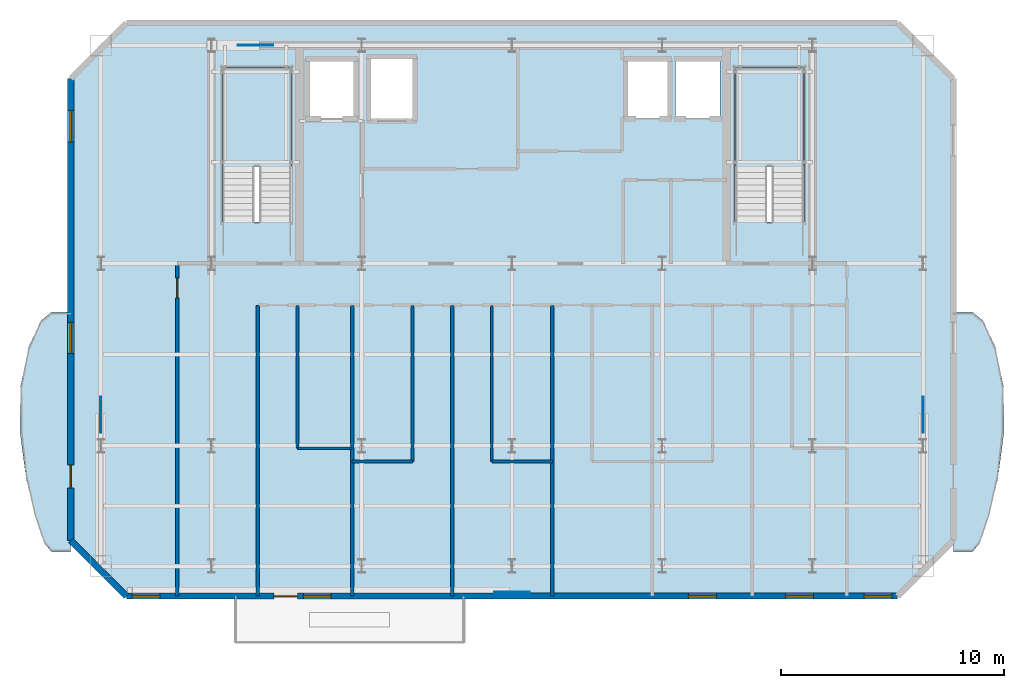
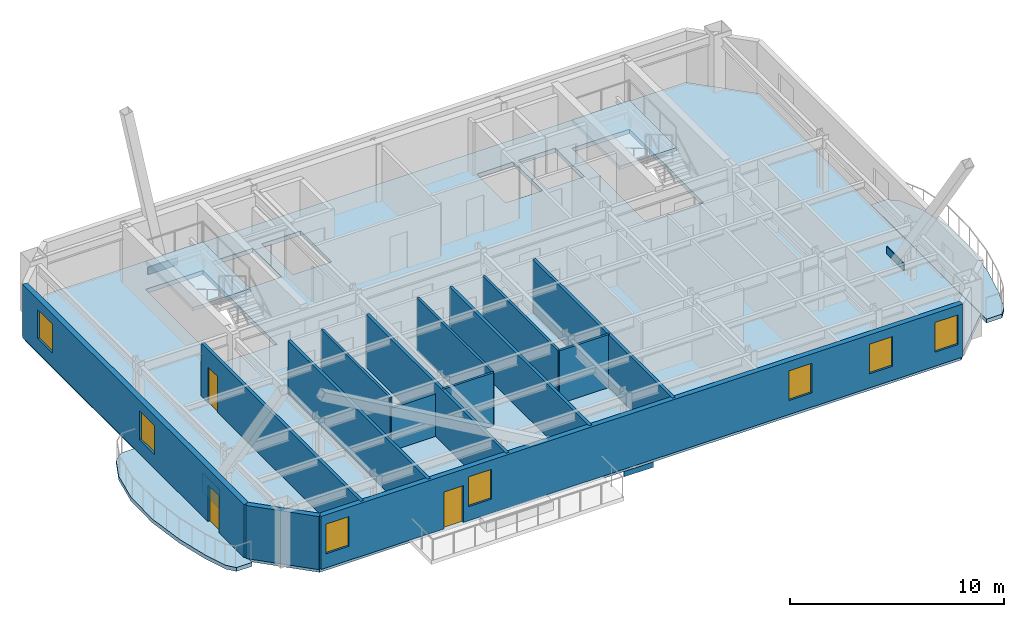
# One storey, part 2 of 6: 14 walls, 7 windows, 5 slabs, 4 plates, 3 doors, 10 openings, 2 elements without a shape of their own.
"""IFC4 building model written with IfcOpenShell, lengths in metres."""

from ifc_helpers import new_model, si_unit, direction, frame, frame_2d, origin, origin_2d, place, context, subcontext, project, spatial, polyline, rectangle, outline, extrude, material, layer, layer_set, type_object, element, fill, aggregate, save


model = new_model("IFC4")

# Units and contexts
model_context = context("Model", 3, precision=1e-05, world=origin(), true_north=direction((0.0, 1.0)))
body_context = subcontext(model_context, "Body", "Model", "MODEL_VIEW")
ifc_project = project(units=[si_unit("LENGTHUNIT", "METRE"), si_unit("AREAUNIT", "SQUARE_METRE"), si_unit("VOLUMEUNIT", "CUBIC_METRE"), si_unit("PLANEANGLEUNIT", "RADIAN"), si_unit("MASSUNIT", "GRAM", prefix="KILO")], contexts=[model_context])

# Site, building, storey
site_placement = place(None, origin())
site = spatial("IfcSite", under=ifc_project, at=site_placement, CompositionType="ELEMENT")
building_placement = place(site_placement, origin())
building = spatial("IfcBuilding", under=site, at=building_placement, Name="Haevon Station Towers", CompositionType="ELEMENT")
storey_placement = place(building_placement, frame((0.0, 0.0, 249.300048828125)))
storey = spatial("IfcBuildingStorey", under=building, at=storey_placement, Name="L69", CompositionType="ELEMENT", Elevation=249.300048828125)

# Plates
ifc_material_1 = material(Name="PL-GUS1", Category="steel")
ifc_layer_1 = layer(ifc_material_1, 0.035888671875)
ifc_layer_set_1 = layer_set([ifc_layer_1], Name="PL-GUS1")
plate_type = type_object("IfcPlateType", Name="PL-GUS1", PredefinedType="USERDEFINED", material=ifc_layer_set_1)
for number, where, z_axis, x_axis, name in (
    (1, (37.5, 23.429931640625, -0.68505859375), (0.0, 0.0, 1.0), (1.0, 0.0, 0.0), "PL-T1GUS-T10-S"),
    (2, (25.97509765625, 48.0, -0.68505859375), (0.0, 0.0, 1.0), (1.0, 0.0, 0.0), "PL-T1GUS-T10-N"),
    (3, (19.02490234375, 31.39990234375, -0.68505859375), (0.0, 0.0, 1.0), (0.0, 1.0, 0.0), "PL-T1GUS-T10-W"),
    (4, (55.97509765625, 31.39990234375, -0.68505859375), (0.0, 0.0, 1.0), (0.0, 1.0, 0.0), "PL-T1GUS-T10-E"),
):
    element("IfcPlate", number, at=place(storey_placement, frame(where, z_axis=z_axis, x_axis=x_axis)), inside=storey, type_object=plate_type, Name=name, ObjectType="GUSSET_PLATE", PredefinedType="USERDEFINED", context=body_context, shape_type="SweptSolid", body=[
        extrude(rectangle(XDim=1.60009765625, YDim=0.035888671875, at=origin_2d()), origin(), (0.0, 0.0, 1.0), 1.10009765625),
    ])

# Slabs
ifc_material_2 = material(Name="Concrete C40/50", Category="concrete")
ifc_layer_2 = layer(ifc_material_2, 0.219970703125)
ifc_layer_set_2 = layer_set([ifc_layer_2], Name="Concrete C40/50")
slab_type_1 = type_object("IfcSlabType", Name="SL-BALC220", PredefinedType="FLOOR", material=ifc_layer_set_2)
slab_1_placement = place(storey_placement, frame((0.0, 0.0, -0.219970703125)))
element("IfcSlab", 5, at=slab_1_placement, inside=storey, type_object=slab_type_1, Name="Tower 1 L69 West SCALLOPED BALCONY", PredefinedType="FLOOR", context=body_context, shape_type="SweptSolid", body=[
    extrude(outline(polyline([(17.669921875, 36.02490234375), (16.820068359375, 36.02490234375), (16.32177734375, 35.614013671875), (15.77783203125, 34.443359375), (15.420166015625, 32.69140625), (15.390625, 30.625), (15.66259765625, 28.55859375), (16.07568359375, 26.806640625), (16.48486328125, 25.635986328125), (16.820068359375, 25.22509765625), (17.669921875, 25.22509765625), (17.669921875, 36.02490234375)])), origin(), (0.0, 0.0, 1.0), 0.219970703125),
])
slab_2_placement = place(storey_placement, frame((0.0, 0.0, -0.219970703125)))
element("IfcSlab", 6, at=slab_2_placement, inside=storey, type_object=slab_type_1, Name="Tower 1 L69 East SCALLOPED BALCONY", PredefinedType="FLOOR", context=body_context, shape_type="SweptSolid", body=[
    extrude(outline(polyline([(57.330078125, 25.22509765625), (58.179931640625, 25.22509765625), (58.51513671875, 25.635986328125), (58.92431640625, 26.806640625), (59.33740234375, 28.55859375), (59.609375, 30.625), (59.579833984375, 32.69140625), (59.22216796875, 34.443359375), (58.67822265625, 35.614013671875), (58.179931640625, 36.02490234375), (57.330078125, 36.02490234375), (57.330078125, 25.22509765625)])), origin(), (0.0, 0.0, 1.0), 0.219970703125),
])

# Stair, slab
stair_type = type_object("IfcStairType", Name="STR-DL1450", PredefinedType="USERDEFINED", material=ifc_material_2)
stair_1_placement = place(storey_placement, origin())
stair_1 = element("IfcStair", 7, at=stair_1_placement, inside=storey, type_object=stair_type, Name="L69 Escape Stair ST1", ObjectType="TWO_RETURN_STAIR", PredefinedType="USERDEFINED")
ifc_layer_3 = layer(ifc_material_2, 0.199951171875)
ifc_layer_set_3 = layer_set([ifc_layer_3], Name="Concrete C40/50")
slab_type_2 = type_object("IfcSlabType", Name="SL-LND200", PredefinedType="LANDING", material=ifc_layer_set_3)
slab_3_placement = place(storey_placement, frame((0.0, 0.0, 1.449951171875)))
slab_3 = element("IfcSlab", 8, at=slab_3_placement, type_object=slab_type_2, Name="L69 ST1 Half Landing 1", PredefinedType="LANDING", context=body_context, shape_type="SweptSolid", body=[
    extrude(outline(polyline([(27.580078125, 42.56396484375), (27.580078125, 47.0), (24.47998046875, 47.0), (24.47998046875, 42.56396484375), (27.580078125, 42.56396484375)])), origin(), (0.0, 0.0, 1.0), 0.199951171875),
])
aggregate(stair_1, [slab_3])

stair_2_placement = place(storey_placement, origin())
stair_2 = element("IfcStair", 9, at=stair_2_placement, inside=storey, type_object=stair_type, Name="L69 Escape Stair ST2", ObjectType="TWO_RETURN_STAIR", PredefinedType="USERDEFINED")
slab_4_placement = place(storey_placement, frame((0.0, 0.0, 1.449951171875)))
slab_4 = element("IfcSlab", 10, at=slab_4_placement, type_object=slab_type_2, Name="L69 ST2 Half Landing 1", PredefinedType="LANDING", context=body_context, shape_type="SweptSolid", body=[
    extrude(outline(polyline([(50.6201171875, 42.56396484375), (50.6201171875, 47.0), (47.52001953125, 47.0), (47.52001953125, 42.56396484375), (50.6201171875, 42.56396484375)])), origin(), (0.0, 0.0, 1.0), 0.199951171875),
])
aggregate(stair_2, [slab_4])

# Slab
ifc_layer_4 = layer(ifc_material_2, 0.25)
ifc_layer_set_4 = layer_set([ifc_layer_4], Name="Concrete C40/50")
slab_type_3 = type_object("IfcSlabType", Name="SL-TW250", PredefinedType="FLOOR", material=ifc_layer_set_4)
slab_5_placement = place(storey_placement, frame((0.0, 0.0, -0.25)))
element("IfcSlab", 11, at=slab_5_placement, inside=storey, type_object=slab_type_3, Name="SL-T1-L69", PredefinedType="FLOOR", context=body_context, shape_type="SweptSolid", body=[
    extrude(outline(polyline([(20.175048828125, 23.25), (54.824951171875, 23.25), (57.324951171875, 25.75), (57.324951171875, 46.5), (54.824951171875, 49.0), (20.175048828125, 49.0), (17.675048828125, 46.5), (17.675048828125, 25.75), (20.175048828125, 23.25)]), holes=[polyline([(27.580078125, 40.055908203125), (27.580078125, 47.0), (24.47998046875, 47.0), (24.47998046875, 40.055908203125), (27.580078125, 40.055908203125)]), polyline([(50.6201171875, 40.055908203125), (50.6201171875, 47.0), (47.52001953125, 47.0), (47.52001953125, 40.055908203125), (50.6201171875, 40.055908203125)]), polyline([(28.300048828125, 44.699951171875), (30.5, 44.699951171875), (30.5, 47.39990234375), (28.300048828125, 47.39990234375), (28.300048828125, 44.699951171875)]), polyline([(31.050048828125, 44.60009765625), (33.14990234375, 44.60009765625), (33.14990234375, 47.5), (31.050048828125, 47.5), (31.050048828125, 44.60009765625)]), polyline([(42.60009765625, 44.699951171875), (44.60009765625, 44.699951171875), (44.60009765625, 47.39990234375), (42.60009765625, 47.39990234375), (42.60009765625, 44.699951171875)]), polyline([(44.85009765625, 44.699951171875), (46.85009765625, 44.699951171875), (46.85009765625, 47.39990234375), (44.85009765625, 47.39990234375), (44.85009765625, 44.699951171875)])]), origin(), (0.0, 0.0, 1.0), 0.25),
])

# Wall, openings, door, windows
ifc_material_3 = material(Name="Precast concrete C45/55", Category="concrete")
ifc_layer_5 = layer(ifc_material_3, 0.280029296875)
ifc_layer_set_5 = layer_set([ifc_layer_5], Name="Precast concrete C45/55")
wall_type_1 = type_object("IfcWallType", Name="WL-EXT-PIER280", PredefinedType="SOLIDWALL", material=ifc_layer_set_5)
wall_1_placement = place(storey_placement, frame((54.824951171875, 23.25, 0.0), z_axis=(0.0, 0.0, 1.0), x_axis=(-1.0, 0.0, 0.0)))
wall_1 = element("IfcWall", 12, at=wall_1_placement, inside=storey, type_object=wall_type_1, Name="WL-T1-L69-S", PredefinedType="SOLIDWALL", context=body_context, shape_type="SweptSolid", body=[
    extrude(rectangle(XDim=34.64990234375, YDim=0.280029296875, at=frame_2d((17.324951171875, 0.0))), origin(), (0.0, 0.0, 1.0), 3.030029296875),
])
opening_1_placement = place(wall_1_placement, frame((26.97314453125, 0.0, 0.0)))
opening_1 = element("IfcOpeningElement", 13, at=opening_1_placement, cuts=wall_1, Name="Opening DR-T1-PBAND-L69-1", PredefinedType="OPENING", context=body_context, shape_type="SweptSolid", body=[
    extrude(rectangle(XDim=1.050048828125, YDim=2.10009765625, at=frame_2d((0.52490234375, 1.050048828125))), frame((0.0, 0.14990234375, 0.0), z_axis=(0.0, -1.0, 0.0), x_axis=(1.0, 0.0, 0.0)), (0.0, 0.0, 1.0), 0.300048828125),
])
opening_2_placement = place(wall_1_placement, frame((33.14990234375, 0.0, 0.800048828125)))
opening_2 = element("IfcOpeningElement", 14, at=opening_2_placement, cuts=wall_1, Name="Opening WN-P125", PredefinedType="OPENING", context=body_context, shape_type="SweptSolid", body=[
    extrude(rectangle(XDim=1.25, YDim=1.699951171875, at=frame_2d((0.625, 0.85009765625))), frame((0.0, 0.14990234375, 0.0), z_axis=(0.0, -1.0, 0.0), x_axis=(1.0, 0.0, 0.0)), (0.0, 0.0, 1.0), 0.300048828125),
])
opening_3_placement = place(wall_1_placement, frame((0.25, 0.0, 0.800048828125)))
opening_3 = element("IfcOpeningElement", 15, at=opening_3_placement, cuts=wall_1, Name="Opening WN-P125", PredefinedType="OPENING", context=body_context, shape_type="SweptSolid", body=[
    extrude(rectangle(XDim=1.25, YDim=1.699951171875, at=frame_2d((0.625, 0.85009765625))), frame((0.0, 0.14990234375, 0.0), z_axis=(0.0, -1.0, 0.0), x_axis=(1.0, 0.0, 0.0)), (0.0, 0.0, 1.0), 0.300048828125),
])
opening_4_placement = place(wall_1_placement, frame((25.447509765625, 0.0, 0.800048828125)))
opening_4 = element("IfcOpeningElement", 16, at=opening_4_placement, cuts=wall_1, Name="Opening WN-P125", PredefinedType="OPENING", context=body_context, shape_type="SweptSolid", body=[
    extrude(rectangle(XDim=1.25, YDim=1.699951171875, at=frame_2d((0.625, 0.85009765625))), frame((0.0, 0.14990234375, 0.0), z_axis=(0.0, -1.0, 0.0), x_axis=(1.0, 0.0, 0.0)), (0.0, 0.0, 1.0), 0.300048828125),
])
opening_5_placement = place(wall_1_placement, frame((8.144287109375, 0.0, 0.800048828125)))
opening_5 = element("IfcOpeningElement", 17, at=opening_5_placement, cuts=wall_1, Name="Opening WN-P125", PredefinedType="OPENING", context=body_context, shape_type="SweptSolid", body=[
    extrude(rectangle(XDim=1.25, YDim=1.699951171875, at=frame_2d((0.625, 0.85009765625))), frame((0.0, 0.14990234375, 0.0), z_axis=(0.0, -1.0, 0.0), x_axis=(1.0, 0.0, 0.0)), (0.0, 0.0, 1.0), 0.300048828125),
])
opening_6_placement = place(wall_1_placement, frame((3.77880859375, 0.0, 0.800048828125)))
opening_6 = element("IfcOpeningElement", 18, at=opening_6_placement, cuts=wall_1, Name="Opening WN-P125", PredefinedType="OPENING", context=body_context, shape_type="SweptSolid", body=[
    extrude(rectangle(XDim=1.25, YDim=1.699951171875, at=frame_2d((0.625, 0.85009765625))), frame((0.0, 0.14990234375, 0.0), z_axis=(0.0, -1.0, 0.0), x_axis=(1.0, 0.0, 0.0)), (0.0, 0.0, 1.0), 0.300048828125),
])
ifc_material_4 = material(Name="Thermally broken anodised aluminium and laminated safety glass", Category="aluminium")
door_type_1 = type_object("IfcDoorType", Name="DR-BALC-1050", OperationType="NOTDEFINED", PredefinedType="DOOR", material=ifc_material_4)
door_1_placement = place(opening_1_placement, origin())
door_1 = element("IfcDoor", 19, at=door_1_placement, inside=storey, type_object=door_type_1, Name="Tower 1 L69 Balcony Terrace Door", OperationType="SINGLE_SWING_LEFT", OverallHeight=2.10009765625, OverallWidth=1.050048828125, PredefinedType="DOOR", context=body_context, shape_type="SweptSolid", body=[
    extrude(rectangle(XDim=1.050048828125, YDim=2.10009765625, at=frame_2d((0.52490234375, 1.050048828125))), frame((0.0, 0.02490234375, 0.0), z_axis=(0.0, -1.0, 0.0), x_axis=(1.0, 0.0, 0.0)), (0.0, 0.0, 1.0), 0.050048828125),
])
fill(opening_1, door_1)
ifc_material_5 = material(Name="Low-E triple glazing in thermally broken aluminium", Category="aluminium")
window_type_1 = type_object("IfcWindowType", Name="WN-P125", PartitioningType="SINGLE_PANEL", PredefinedType="WINDOW", material=ifc_material_5)
window_1_placement = place(opening_2_placement, origin())
window_1 = element("IfcWindow", 20, at=window_1_placement, inside=storey, type_object=window_type_1, Name="WN-T1-L69-S01", OverallHeight=1.699951171875, OverallWidth=1.25, PartitioningType="SINGLE_PANEL", PredefinedType="WINDOW", context=body_context, shape_type="SweptSolid", body=[
    extrude(rectangle(XDim=1.25, YDim=1.699951171875, at=frame_2d((0.625, 0.85009765625))), frame((0.0, 0.030029296875, 0.0), z_axis=(0.0, -1.0, 0.0), x_axis=(1.0, 0.0, 0.0)), (0.0, 0.0, 1.0), 0.06005859375),
])
fill(opening_2, window_1)
window_2_placement = place(opening_3_placement, origin())
window_2 = element("IfcWindow", 21, at=window_2_placement, inside=storey, type_object=window_type_1, Name="WN-T1-L69-S02", OverallHeight=1.699951171875, OverallWidth=1.25, PartitioningType="SINGLE_PANEL", PredefinedType="WINDOW", context=body_context, shape_type="SweptSolid", body=[
    extrude(rectangle(XDim=1.25, YDim=1.699951171875, at=frame_2d((0.625, 0.85009765625))), frame((0.0, 0.030029296875, 0.0), z_axis=(0.0, -1.0, 0.0), x_axis=(1.0, 0.0, 0.0)), (0.0, 0.0, 1.0), 0.06005859375),
])
fill(opening_3, window_2)
window_3_placement = place(opening_4_placement, origin())
window_3 = element("IfcWindow", 22, at=window_3_placement, inside=storey, type_object=window_type_1, Name="WN-T1-L69-S03", OverallHeight=1.699951171875, OverallWidth=1.25, PartitioningType="SINGLE_PANEL", PredefinedType="WINDOW", context=body_context, shape_type="SweptSolid", body=[
    extrude(rectangle(XDim=1.25, YDim=1.699951171875, at=frame_2d((0.625, 0.85009765625))), frame((0.0, 0.030029296875, 0.0), z_axis=(0.0, -1.0, 0.0), x_axis=(1.0, 0.0, 0.0)), (0.0, 0.0, 1.0), 0.06005859375),
])
fill(opening_4, window_3)
window_4_placement = place(opening_5_placement, origin())
window_4 = element("IfcWindow", 23, at=window_4_placement, inside=storey, type_object=window_type_1, Name="WN-T1-L69-S04", OverallHeight=1.699951171875, OverallWidth=1.25, PartitioningType="SINGLE_PANEL", PredefinedType="WINDOW", context=body_context, shape_type="SweptSolid", body=[
    extrude(rectangle(XDim=1.25, YDim=1.699951171875, at=frame_2d((0.625, 0.85009765625))), frame((0.0, 0.030029296875, 0.0), z_axis=(0.0, -1.0, 0.0), x_axis=(1.0, 0.0, 0.0)), (0.0, 0.0, 1.0), 0.06005859375),
])
fill(opening_5, window_4)
window_5_placement = place(opening_6_placement, origin())
window_5 = element("IfcWindow", 24, at=window_5_placement, inside=storey, type_object=window_type_1, Name="WN-T1-L69-S05", OverallHeight=1.699951171875, OverallWidth=1.25, PartitioningType="SINGLE_PANEL", PredefinedType="WINDOW", context=body_context, shape_type="SweptSolid", body=[
    extrude(rectangle(XDim=1.25, YDim=1.699951171875, at=frame_2d((0.625, 0.85009765625))), frame((0.0, 0.030029296875, 0.0), z_axis=(0.0, -1.0, 0.0), x_axis=(1.0, 0.0, 0.0)), (0.0, 0.0, 1.0), 0.06005859375),
])
fill(opening_6, window_5)

# Wall
wall_2_placement = place(storey_placement, frame((20.175048828125, 23.25, 0.0), z_axis=(0.0, 0.0, 1.0), x_axis=(-0.707106781187, 0.707106781187, 0.0)))
element("IfcWall", 25, at=wall_2_placement, inside=storey, type_object=wall_type_1, Name="WL-T1-L69-SWC", PredefinedType="SOLIDWALL", context=body_context, shape_type="SweptSolid", body=[
    extrude(rectangle(XDim=3.53564453125, YDim=0.280029296875, at=frame_2d((1.767822265625, 0.0))), origin(), (0.0, 0.0, 1.0), 3.030029296875),
])

# Wall, openings, door, windows
wall_3_placement = place(storey_placement, frame((17.675048828125, 25.75, 0.0), z_axis=(0.0, 0.0, 1.0), x_axis=(0.0, 1.0, 0.0)))
wall_3 = element("IfcWall", 26, at=wall_3_placement, inside=storey, type_object=wall_type_1, Name="WL-T1-L69-W", PredefinedType="SOLIDWALL", context=body_context, shape_type="SweptSolid", body=[
    extrude(rectangle(XDim=20.75, YDim=0.280029296875, at=frame_2d((10.375, 0.0))), origin(), (0.0, 0.0, 1.0), 3.030029296875),
])
opening_7_placement = place(wall_3_placement, frame((2.35009765625, 0.0, 0.0)))
opening_7 = element("IfcOpeningElement", 27, at=opening_7_placement, cuts=wall_3, Name="Opening DR-T1-SCAL-L69-W", PredefinedType="OPENING", context=body_context, shape_type="SweptSolid", body=[
    extrude(rectangle(XDim=1.050048828125, YDim=2.10009765625, at=frame_2d((0.52490234375, 1.050048828125))), frame((0.0, 0.14990234375, 0.0), z_axis=(0.0, -1.0, 0.0), x_axis=(1.0, 0.0, 0.0)), (0.0, 0.0, 1.0), 0.300048828125),
])
opening_8_placement = place(wall_3_placement, frame((8.406982421875, 0.0, 0.800048828125)))
opening_8 = element("IfcOpeningElement", 28, at=opening_8_placement, cuts=wall_3, Name="Opening WN-END140", PredefinedType="OPENING", context=body_context, shape_type="SweptSolid", body=[
    extrude(rectangle(XDim=1.39990234375, YDim=1.64990234375, at=frame_2d((0.699951171875, 0.824951171875))), frame((0.0, 0.14990234375, 0.0), z_axis=(0.0, -1.0, 0.0), x_axis=(1.0, 0.0, 0.0)), (0.0, 0.0, 1.0), 0.300048828125),
])
opening_9_placement = place(wall_3_placement, frame((17.916015625, 0.0, 0.800048828125)))
opening_9 = element("IfcOpeningElement", 29, at=opening_9_placement, cuts=wall_3, Name="Opening WN-END140", PredefinedType="OPENING", context=body_context, shape_type="SweptSolid", body=[
    extrude(rectangle(XDim=1.39990234375, YDim=1.64990234375, at=frame_2d((0.699951171875, 0.824951171875))), frame((0.0, 0.14990234375, 0.0), z_axis=(0.0, -1.0, 0.0), x_axis=(1.0, 0.0, 0.0)), (0.0, 0.0, 1.0), 0.300048828125),
])
door_2_placement = place(opening_7_placement, origin())
door_2 = element("IfcDoor", 30, at=door_2_placement, inside=storey, type_object=door_type_1, Name="Tower 1 L69 West Scalloped Balcony Door", OperationType="SINGLE_SWING_RIGHT", OverallHeight=2.10009765625, OverallWidth=1.050048828125, PredefinedType="DOOR", context=body_context, shape_type="SweptSolid", body=[
    extrude(rectangle(XDim=1.050048828125, YDim=2.10009765625, at=frame_2d((0.52490234375, 1.050048828125))), frame((0.0, 0.02490234375, 0.0), z_axis=(0.0, -1.0, 0.0), x_axis=(1.0, 0.0, 0.0)), (0.0, 0.0, 1.0), 0.050048828125),
])
fill(opening_7, door_2)
window_type_2 = type_object("IfcWindowType", Name="WN-END140", PartitioningType="SINGLE_PANEL", PredefinedType="WINDOW", material=ifc_material_5)
window_6_placement = place(opening_8_placement, origin())
window_6 = element("IfcWindow", 31, at=window_6_placement, inside=storey, type_object=window_type_2, Name="WN-T1-L69-W01", OverallHeight=1.64990234375, OverallWidth=1.39990234375, PartitioningType="SINGLE_PANEL", PredefinedType="WINDOW", context=body_context, shape_type="SweptSolid", body=[
    extrude(rectangle(XDim=1.39990234375, YDim=1.64990234375, at=frame_2d((0.699951171875, 0.824951171875))), frame((0.0, 0.030029296875, 0.0), z_axis=(0.0, -1.0, 0.0), x_axis=(1.0, 0.0, 0.0)), (0.0, 0.0, 1.0), 0.06005859375),
])
fill(opening_8, window_6)
window_7_placement = place(opening_9_placement, origin())
window_7 = element("IfcWindow", 32, at=window_7_placement, inside=storey, type_object=window_type_2, Name="WN-T1-L69-W02", OverallHeight=1.64990234375, OverallWidth=1.39990234375, PartitioningType="SINGLE_PANEL", PredefinedType="WINDOW", context=body_context, shape_type="SweptSolid", body=[
    extrude(rectangle(XDim=1.39990234375, YDim=1.64990234375, at=frame_2d((0.699951171875, 0.824951171875))), frame((0.0, 0.030029296875, 0.0), z_axis=(0.0, -1.0, 0.0), x_axis=(1.0, 0.0, 0.0)), (0.0, 0.0, 1.0), 0.06005859375),
])
fill(opening_9, window_7)

# Walls
ifc_material_6 = material(Name="Gypsum board on steel stud", Category="steel")
ifc_layer_6 = layer(ifc_material_6, 0.125)
ifc_layer_set_6 = layer_set([ifc_layer_6], Name="Gypsum board on steel stud")
wall_type_2 = type_object("IfcWallType", Name="WL-PRT125", PredefinedType="PARTITIONING", material=ifc_layer_set_6)
wall_4_placement = place(storey_placement, frame((27.860107421875, 29.8974609375, 0.0), z_axis=(0.0, 0.0, 1.0), x_axis=(1.0, 0.0, 0.0)))
element("IfcWall", 33, at=wall_4_placement, inside=storey, type_object=wall_type_2, Name="WL-T1PT-L69-06", PredefinedType="PARTITIONING", context=body_context, shape_type="SweptSolid", body=[
    extrude(rectangle(XDim=2.453125, YDim=0.125, at=frame_2d((1.2265625, 0.0))), origin(), (0.0, 0.0, 1.0), 2.429931640625),
])
wall_5_placement = place(storey_placement, frame((27.860107421875, 29.8974609375, 0.0), z_axis=(0.0, 0.0, 1.0), x_axis=(0.0, 1.0, 0.0)))
element("IfcWall", 34, at=wall_5_placement, inside=storey, type_object=wall_type_2, Name="WL-T1PT-L69-07", PredefinedType="PARTITIONING", context=body_context, shape_type="SweptSolid", body=[
    extrude(rectangle(XDim=6.422607421875, YDim=0.125, at=frame_2d((3.21142578125, 0.0))), origin(), (0.0, 0.0, 1.0), 3.030029296875),
])
wall_6_placement = place(storey_placement, frame((30.313232421875, 29.296630859375, 0.0), z_axis=(0.0, 0.0, 1.0), x_axis=(1.0, 0.0, 0.0)))
element("IfcWall", 35, at=wall_6_placement, inside=storey, type_object=wall_type_2, Name="WL-T1PT-L69-09", PredefinedType="PARTITIONING", context=body_context, shape_type="SweptSolid", body=[
    extrude(rectangle(XDim=2.7177734375, YDim=0.125, at=frame_2d((1.35888671875, 0.0))), origin(), (0.0, 0.0, 1.0), 3.030029296875),
])
wall_7_placement = place(storey_placement, frame((33.031005859375, 29.296630859375, 0.0), z_axis=(0.0, 0.0, 1.0), x_axis=(0.0, 1.0, 0.0)))
element("IfcWall", 36, at=wall_7_placement, inside=storey, type_object=wall_type_2, Name="WL-T1PT-L69-10", PredefinedType="PARTITIONING", context=body_context, shape_type="SweptSolid", body=[
    extrude(rectangle(XDim=7.0234375, YDim=0.125, at=frame_2d((3.51171875, 0.0))), origin(), (0.0, 0.0, 1.0), 3.030029296875),
])
wall_8_placement = place(storey_placement, frame((36.591064453125, 29.29638671875, 0.0), z_axis=(0.0, 0.0, 1.0), x_axis=(1.0, 0.0, 0.0)))
element("IfcWall", 37, at=wall_8_placement, inside=storey, type_object=wall_type_2, Name="WL-T1PT-L69-12", PredefinedType="PARTITIONING", context=body_context, shape_type="SweptSolid", body=[
    extrude(rectangle(XDim=2.718017578125, YDim=0.125, at=frame_2d((1.35888671875, 0.0))), origin(), (0.0, 0.0, 1.0), 3.030029296875),
])
wall_9_placement = place(storey_placement, frame((36.591064453125, 29.29638671875, 0.0), z_axis=(0.0, 0.0, 1.0), x_axis=(0.0, 1.0, 0.0)))
element("IfcWall", 38, at=wall_9_placement, inside=storey, type_object=wall_type_2, Name="WL-T1PT-L69-13", PredefinedType="PARTITIONING", context=body_context, shape_type="SweptSolid", body=[
    extrude(rectangle(XDim=7.023681640625, YDim=0.125, at=frame_2d((3.51171875, 0.0))), origin(), (0.0, 0.0, 1.0), 3.030029296875),
])
ifc_layer_7 = layer(ifc_material_6, 0.159912109375)
ifc_layer_set_7 = layer_set([ifc_layer_7], Name="Gypsum board on steel stud")
wall_type_3 = type_object("IfcWallType", Name="WL-PRT160", PredefinedType="PARTITIONING", material=ifc_layer_set_7)
wall_10_placement = place(storey_placement, frame((26.080078125, 23.25, 0.0), z_axis=(0.0, 0.0, 1.0), x_axis=(0.0, 1.0, 0.0)))
element("IfcWall", 39, at=wall_10_placement, inside=storey, type_object=wall_type_3, Name="WL-T1PT-L69-01", PredefinedType="PARTITIONING", context=body_context, shape_type="SweptSolid", body=[
    extrude(rectangle(XDim=13.070068359375, YDim=0.159912109375, at=frame_2d((6.53515625, 0.0))), origin(), (0.0, 0.0, 1.0), 3.030029296875),
])

# Wall, opening, door
wall_11_placement = place(storey_placement, frame((22.4619140625, 23.25, 0.0), z_axis=(0.0, 0.0, 1.0), x_axis=(0.0, 1.0, 0.0)))
wall_11 = element("IfcWall", 40, at=wall_11_placement, inside=storey, type_object=wall_type_3, Name="WL-T1PT-L69-04", PredefinedType="PARTITIONING", context=body_context, shape_type="SweptSolid", body=[
    extrude(rectangle(XDim=14.949951171875, YDim=0.159912109375, at=frame_2d((7.47509765625, 0.0))), origin(), (0.0, 0.0, 1.0), 3.030029296875),
])
opening_10_placement = place(wall_11_placement, frame((13.389892578125, 0.0, 0.0)))
opening_10 = element("IfcOpeningElement", 41, at=opening_10_placement, cuts=wall_11, Name="Opening DR-WL-T1PT-L69-04-01", PredefinedType="OPENING", context=body_context, shape_type="SweptSolid", body=[
    extrude(rectangle(XDim=0.89990234375, YDim=2.050048828125, at=frame_2d((0.449951171875, 1.02490234375))), frame((0.0, 0.08984375, 0.0), z_axis=(0.0, -1.0, 0.0), x_axis=(1.0, 0.0, 0.0)), (0.0, 0.0, 1.0), 0.179931640625),
])
ifc_material_7 = material(Name="Engineered oak timber", Category="wood")
door_type_2 = type_object("IfcDoorType", Name="DR-INT-900", OperationType="NOTDEFINED", PredefinedType="DOOR", material=ifc_material_7)
door_3_placement = place(opening_10_placement, origin())
door_3 = element("IfcDoor", 42, at=door_3_placement, inside=storey, type_object=door_type_2, Name="L69 Tower 1 Room Door 4-1", OperationType="SINGLE_SWING_RIGHT", OverallHeight=2.050048828125, OverallWidth=0.89990234375, PredefinedType="DOOR", context=body_context, shape_type="SweptSolid", body=[
    extrude(rectangle(XDim=0.89990234375, YDim=2.050048828125, at=frame_2d((0.449951171875, 1.02490234375))), frame((0.0, 0.02490234375, 0.0), z_axis=(0.0, -1.0, 0.0), x_axis=(1.0, 0.0, 0.0)), (0.0, 0.0, 1.0), 0.050048828125),
])
fill(opening_10, door_3)

# Walls
for number, where, z_axis, x_axis, name in (
    (43, (30.313232421875, 23.25, 0.0), (0.0, 0.0, 1.0), (0.0, 1.0, 0.0), "WL-T1PT-L69-08"),
    (44, (34.81103515625, 23.25, 0.0), (0.0, 0.0, 1.0), (0.0, 1.0, 0.0), "WL-T1PT-L69-11"),
    (45, (39.30908203125, 23.25, 0.0), (0.0, 0.0, 1.0), (0.0, 1.0, 0.0), "WL-T1PT-L69-14"),
):
    element("IfcWall", number, at=place(storey_placement, frame(where, z_axis=z_axis, x_axis=x_axis)), inside=storey, type_object=wall_type_3, Name=name, PredefinedType="PARTITIONING", context=body_context, shape_type="SweptSolid", body=[
        extrude(rectangle(XDim=13.070068359375, YDim=0.159912109375, at=frame_2d((6.53515625, 0.0))), origin(), (0.0, 0.0, 1.0), 3.030029296875),
    ])

save(model, "model.ifc")
